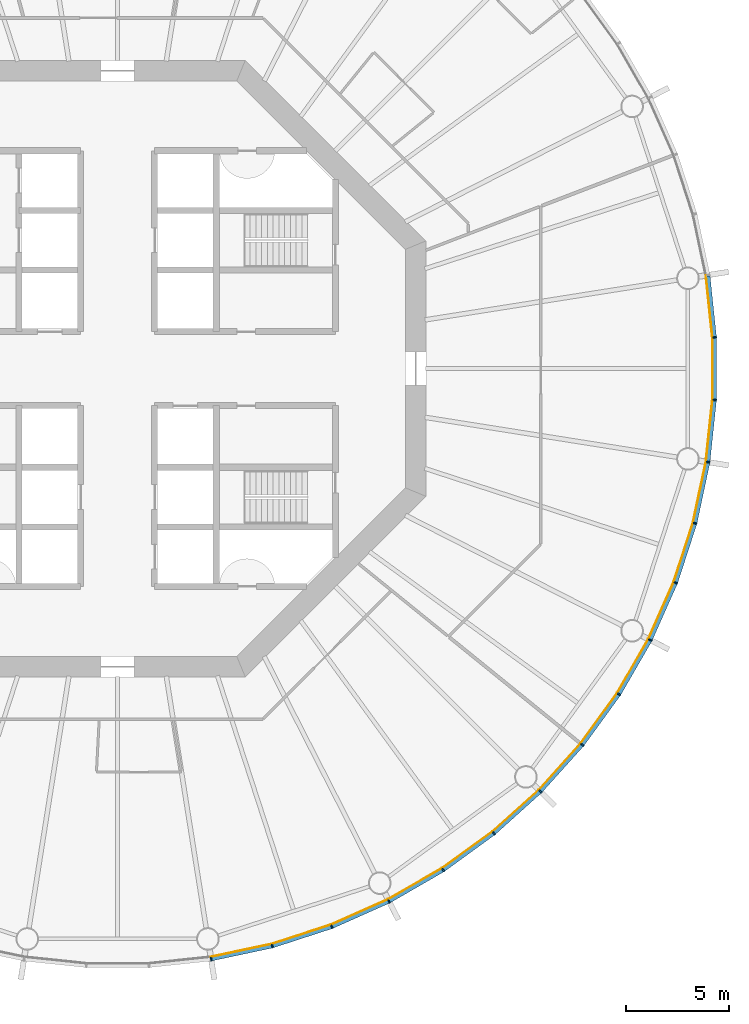
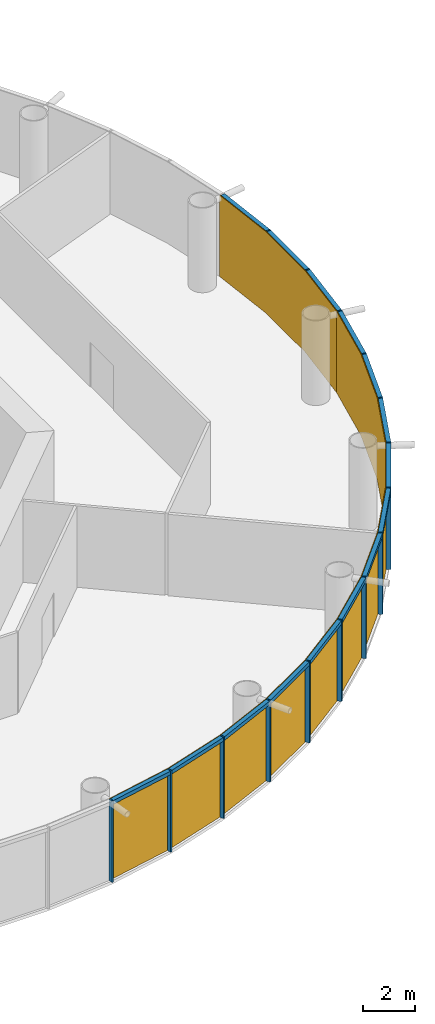
# One storey, part 8 of 12: 30 members, 5 curtain walls.
"""IFC4 building model written with IfcOpenShell, lengths in metres."""

from ifc_helpers import new_model, si_unit, direction, frame, origin, origin_2d, place, context, subcontext, project, spatial, polyline, rectangle, outline, extrude, material, layer, layer_set, material_profile, profile_set, type_object, element, aggregate, save


model = new_model("IFC4")

# Units and contexts
model_context = context("Model", 3, precision=1e-05, world=origin(), true_north=direction((0.0, 1.0)))
body_context = subcontext(model_context, "Body", "Model", "MODEL_VIEW")
ifc_project = project(units=[si_unit("LENGTHUNIT", "METRE"), si_unit("AREAUNIT", "SQUARE_METRE"), si_unit("VOLUMEUNIT", "CUBIC_METRE"), si_unit("PLANEANGLEUNIT", "RADIAN"), si_unit("MASSUNIT", "GRAM", prefix="KILO")], contexts=[model_context])

# Member
ifc_material_1 = material(Name="Anodised aluminium", Category="aluminium")
ifc_material_profile_1 = material_profile(ifc_material_1, rectangle(XDim=0.06494140625, YDim=0.18505859375, at=origin_2d()), Name="Mullion 65 x 185 mm anodised aluminium")
ifc_profile_set_1 = profile_set([ifc_material_profile_1], Name="Anodised aluminium")
member_type_1 = type_object("IfcMemberType", Name="Mullion 65 x 185 mm anodised aluminium", PredefinedType="MULLION", material=ifc_profile_set_1)
site_placement = place(None, origin())
building_placement = place(site_placement, origin())
storey_placement = place(building_placement, frame((0.0, 0.0, 196.0)))
member_1_placement = place(storey_placement, frame((94.551025390625, 51.265625, 0.0), z_axis=(0.0, 0.0, 1.0), x_axis=(0.987688340595, 0.15643446504, 0.0)))
member_1 = element("IfcMember", 1, at=member_1_placement, type_object=member_type_1, Name="MULLION L45-45", PredefinedType="MULLION", context=body_context, shape_type="SweptSolid", body=[
    extrude(rectangle(XDim=0.06494140625, YDim=0.18505859375, at=origin_2d()), origin(), (0.0, 0.0, 1.0), 3.85009765625),
])

member_2_placement = place(storey_placement, frame((97.52978515625, 51.898681640625, 0.0), z_axis=(0.0, 0.0, 1.0), x_axis=(0.965925826289, 0.258819045103, 0.0)))
member_2 = element("IfcMember", 2, at=member_2_placement, type_object=member_type_1, Name="MULLION L45-46", PredefinedType="MULLION", context=body_context, shape_type="SweptSolid", body=[
    extrude(rectangle(XDim=0.06494140625, YDim=0.18505859375, at=origin_2d()), origin(), (0.0, 0.0, 1.0), 3.85009765625),
])

member_3_placement = place(storey_placement, frame((100.42578125, 52.83984375, 0.0), z_axis=(0.0, 0.0, 1.0), x_axis=(0.933580426497, 0.358367949545, 0.0)))
member_3 = element("IfcMember", 3, at=member_3_placement, type_object=member_type_1, Name="MULLION L45-47", PredefinedType="MULLION", context=body_context, shape_type="SweptSolid", body=[
    extrude(rectangle(XDim=0.06494140625, YDim=0.18505859375, at=origin_2d()), origin(), (0.0, 0.0, 1.0), 3.85009765625),
])

member_4_placement = place(storey_placement, frame((103.207763671875, 54.078369140625, 0.0), z_axis=(0.0, 0.0, 1.0), x_axis=(0.891006524188, 0.45399049974, 0.0)))
member_4 = element("IfcMember", 4, at=member_4_placement, type_object=member_type_1, Name="MULLION L45-48", PredefinedType="MULLION", context=body_context, shape_type="SweptSolid", body=[
    extrude(rectangle(XDim=0.06494140625, YDim=0.18505859375, at=origin_2d()), origin(), (0.0, 0.0, 1.0), 3.85009765625),
])

member_5_placement = place(storey_placement, frame((105.844970703125, 55.60107421875, 0.0), z_axis=(0.0, 0.0, 1.0), x_axis=(0.838670567945, 0.544639035015, 0.0)))
member_5 = element("IfcMember", 5, at=member_5_placement, type_object=member_type_1, Name="MULLION L45-49", PredefinedType="MULLION", context=body_context, shape_type="SweptSolid", body=[
    extrude(rectangle(XDim=0.06494140625, YDim=0.18505859375, at=origin_2d()), origin(), (0.0, 0.0, 1.0), 3.85009765625),
])

member_6_placement = place(storey_placement, frame((108.30859375, 57.390869140625, 0.0), z_axis=(0.0, 0.0, 1.0), x_axis=(0.777145961457, 0.62932039105, 0.0)))
member_6 = element("IfcMember", 6, at=member_6_placement, type_object=member_type_1, Name="MULLION L45-50", PredefinedType="MULLION", context=body_context, shape_type="SweptSolid", body=[
    extrude(rectangle(XDim=0.06494140625, YDim=0.18505859375, at=origin_2d()), origin(), (0.0, 0.0, 1.0), 3.85009765625),
])

member_7_placement = place(storey_placement, frame((110.571533203125, 59.428466796875, 0.0), z_axis=(0.0, 0.0, 1.0), x_axis=(0.707106781187, 0.707106781187, 0.0)))
member_7 = element("IfcMember", 7, at=member_7_placement, type_object=member_type_1, Name="MULLION L45-51", PredefinedType="MULLION", context=body_context, shape_type="SweptSolid", body=[
    extrude(rectangle(XDim=0.06494140625, YDim=0.18505859375, at=origin_2d()), origin(), (0.0, 0.0, 1.0), 3.85009765625),
])

member_8_placement = place(storey_placement, frame((112.609130859375, 61.69140625, 0.0), z_axis=(0.0, 0.0, 1.0), x_axis=(0.62932039105, 0.777145961457, 0.0)))
member_8 = element("IfcMember", 8, at=member_8_placement, type_object=member_type_1, Name="MULLION L45-52", PredefinedType="MULLION", context=body_context, shape_type="SweptSolid", body=[
    extrude(rectangle(XDim=0.06494140625, YDim=0.18505859375, at=origin_2d()), origin(), (0.0, 0.0, 1.0), 3.85009765625),
])

member_9_placement = place(storey_placement, frame((114.39892578125, 64.155029296875, 0.0), z_axis=(0.0, 0.0, 1.0), x_axis=(0.544639035015, 0.838670567945, 0.0)))
member_9 = element("IfcMember", 9, at=member_9_placement, type_object=member_type_1, Name="MULLION L45-53", PredefinedType="MULLION", context=body_context, shape_type="SweptSolid", body=[
    extrude(rectangle(XDim=0.06494140625, YDim=0.18505859375, at=origin_2d()), origin(), (0.0, 0.0, 1.0), 3.85009765625),
])

member_10_placement = place(storey_placement, frame((115.921630859375, 66.792236328125, 0.0), z_axis=(0.0, 0.0, 1.0), x_axis=(0.45399049974, 0.891006524188, 0.0)))
member_10 = element("IfcMember", 10, at=member_10_placement, type_object=member_type_1, Name="MULLION L45-54", PredefinedType="MULLION", context=body_context, shape_type="SweptSolid", body=[
    extrude(rectangle(XDim=0.06494140625, YDim=0.18505859375, at=origin_2d()), origin(), (0.0, 0.0, 1.0), 3.85009765625),
])

member_11_placement = place(storey_placement, frame((117.16015625, 69.57421875, 0.0), z_axis=(0.0, 0.0, 1.0), x_axis=(0.358367949545, 0.933580426497, 0.0)))
member_11 = element("IfcMember", 11, at=member_11_placement, type_object=member_type_1, Name="MULLION L45-55", PredefinedType="MULLION", context=body_context, shape_type="SweptSolid", body=[
    extrude(rectangle(XDim=0.06494140625, YDim=0.18505859375, at=origin_2d()), origin(), (0.0, 0.0, 1.0), 3.85009765625),
])

member_12_placement = place(storey_placement, frame((118.101318359375, 72.47021484375, 0.0), z_axis=(0.0, 0.0, 1.0), x_axis=(0.258819045103, 0.965925826289, 0.0)))
member_12 = element("IfcMember", 12, at=member_12_placement, type_object=member_type_1, Name="MULLION L45-56", PredefinedType="MULLION", context=body_context, shape_type="SweptSolid", body=[
    extrude(rectangle(XDim=0.06494140625, YDim=0.18505859375, at=origin_2d()), origin(), (0.0, 0.0, 1.0), 3.85009765625),
])

member_13_placement = place(storey_placement, frame((118.734375, 75.448974609375, 0.0), z_axis=(0.0, 0.0, 1.0), x_axis=(0.15643446504, 0.987688340595, 0.0)))
member_13 = element("IfcMember", 13, at=member_13_placement, type_object=member_type_1, Name="MULLION L45-57", PredefinedType="MULLION", context=body_context, shape_type="SweptSolid", body=[
    extrude(rectangle(XDim=0.06494140625, YDim=0.18505859375, at=origin_2d()), origin(), (0.0, 0.0, 1.0), 3.85009765625),
])

member_14_placement = place(storey_placement, frame((119.052734375, 78.477294921875, 0.0), z_axis=(0.0, 0.0, 1.0), x_axis=(0.052335956243, 0.998629534755, 0.0)))
member_14 = element("IfcMember", 14, at=member_14_placement, type_object=member_type_1, Name="MULLION L45-58", PredefinedType="MULLION", context=body_context, shape_type="SweptSolid", body=[
    extrude(rectangle(XDim=0.06494140625, YDim=0.18505859375, at=origin_2d()), origin(), (0.0, 0.0, 1.0), 3.85009765625),
])

member_15_placement = place(storey_placement, frame((119.052734375, 81.522705078125, 0.0), z_axis=(0.0, 0.0, 1.0), x_axis=(-0.052335956243, 0.998629534755, 0.0)))
member_15 = element("IfcMember", 15, at=member_15_placement, type_object=member_type_1, Name="MULLION L45-59", PredefinedType="MULLION", context=body_context, shape_type="SweptSolid", body=[
    extrude(rectangle(XDim=0.06494140625, YDim=0.18505859375, at=origin_2d()), origin(), (0.0, 0.0, 1.0), 3.85009765625),
])

ifc_material_2 = material(Name="Anodised aluminium", Category="aluminium")
ifc_material_profile_2 = material_profile(ifc_material_2, rectangle(XDim=0.18505859375, YDim=0.175048828125, at=origin_2d()), Name="Transom 175 x 185 mm anodised aluminium")
ifc_profile_set_2 = profile_set([ifc_material_profile_2], Name="Anodised aluminium")
member_type_2 = type_object("IfcMemberType", Name="Transom 175 x 185 mm anodised aluminium", PredefinedType="USERDEFINED", material=ifc_profile_set_2)
member_16_placement = place(storey_placement, frame((94.587646484375, 51.2734375, 3.762451171875), z_axis=(0.97815822425, 0.207861704825, 0.0), x_axis=(-0.207861704825, 0.97815822425, 0.0)))
member_16 = element("IfcMember", 16, at=member_16_placement, type_object=member_type_2, Name="TRANSOM L45-45", ObjectType="TRANSOM", PredefinedType="USERDEFINED", context=body_context, shape_type="SweptSolid", body=[
    extrude(rectangle(XDim=0.18505859375, YDim=0.175048828125, at=origin_2d()), origin(), (0.0, 0.0, 1.0), 2.970458984375),
])

member_17_placement = place(storey_placement, frame((97.565185546875, 51.91015625, 3.762451171875), z_axis=(0.951055809184, 0.30901917063, 0.0), x_axis=(-0.30901917063, 0.951055809184, 0.0)))
member_17 = element("IfcMember", 17, at=member_17_placement, type_object=member_type_2, Name="TRANSOM L45-46", ObjectType="TRANSOM", PredefinedType="USERDEFINED", context=body_context, shape_type="SweptSolid", body=[
    extrude(rectangle(XDim=0.18505859375, YDim=0.175048828125, at=origin_2d()), origin(), (0.0, 0.0, 1.0), 2.970703125),
])

member_18_placement = place(storey_placement, frame((100.4599609375, 52.85498046875, 3.762451171875), z_axis=(0.913567348806, 0.406687471156, 0.0), x_axis=(-0.406687471156, 0.913567348806, 0.0)))
member_18 = element("IfcMember", 18, at=member_18_placement, type_object=member_type_2, Name="TRANSOM L45-47", ObjectType="TRANSOM", PredefinedType="USERDEFINED", context=body_context, shape_type="SweptSolid", body=[
    extrude(rectangle(XDim=0.18505859375, YDim=0.175048828125, at=origin_2d()), origin(), (0.0, 0.0, 1.0), 2.970458984375),
])

member_19_placement = place(storey_placement, frame((103.240234375, 54.096923828125, 3.762451171875), z_axis=(0.866009025146, 0.500028367561, 0.0), x_axis=(-0.500028367561, 0.866009025146, 0.0)))
member_19 = element("IfcMember", 19, at=member_19_placement, type_object=member_type_2, Name="TRANSOM L45-48", ObjectType="TRANSOM", PredefinedType="USERDEFINED", context=body_context, shape_type="SweptSolid", body=[
    extrude(rectangle(XDim=0.18505859375, YDim=0.175048828125, at=origin_2d()), origin(), (0.0, 0.0, 1.0), 2.970458984375),
])

member_20_placement = place(storey_placement, frame((105.875244140625, 55.622802734375, 3.762451171875), z_axis=(0.808991906087, 0.587819781808, 0.0), x_axis=(-0.587819781808, 0.808991906087, 0.0)))
member_20 = element("IfcMember", 20, at=member_20_placement, type_object=member_type_2, Name="TRANSOM L45-49", ObjectType="TRANSOM", PredefinedType="USERDEFINED", context=body_context, shape_type="SweptSolid", body=[
    extrude(rectangle(XDim=0.18505859375, YDim=0.175048828125, at=origin_2d()), origin(), (0.0, 0.0, 1.0), 2.970458984375),
])

member_21_placement = place(storey_placement, frame((108.33642578125, 57.415771484375, 3.762451171875), z_axis=(0.743163354343, 0.669110027395, 0.0), x_axis=(-0.669110027395, 0.743163354343, 0.0)))
member_21 = element("IfcMember", 21, at=member_21_placement, type_object=member_type_2, Name="TRANSOM L45-50", ObjectType="TRANSOM", PredefinedType="USERDEFINED", context=body_context, shape_type="SweptSolid", body=[
    extrude(rectangle(XDim=0.18505859375, YDim=0.175048828125, at=origin_2d()), origin(), (0.0, 0.0, 1.0), 2.970458984375),
])

member_22_placement = place(storey_placement, frame((110.5966796875, 59.4560546875, 3.762451171875), z_axis=(0.669110027395, 0.743163354343, 0.0), x_axis=(-0.743163354343, 0.669110027395, 0.0)))
member_22 = element("IfcMember", 22, at=member_22_placement, type_object=member_type_2, Name="TRANSOM L45-51", ObjectType="TRANSOM", PredefinedType="USERDEFINED", context=body_context, shape_type="SweptSolid", body=[
    extrude(rectangle(XDim=0.18505859375, YDim=0.175048828125, at=origin_2d()), origin(), (0.0, 0.0, 1.0), 2.970458984375),
])

member_23_placement = place(storey_placement, frame((112.631103515625, 61.7216796875, 3.762451171875), z_axis=(0.587819781808, 0.808991906087, 0.0), x_axis=(-0.808991906087, 0.587819781808, 0.0)))
member_23 = element("IfcMember", 23, at=member_23_placement, type_object=member_type_2, Name="TRANSOM L45-52", ObjectType="TRANSOM", PredefinedType="USERDEFINED", context=body_context, shape_type="SweptSolid", body=[
    extrude(rectangle(XDim=0.18505859375, YDim=0.175048828125, at=origin_2d()), origin(), (0.0, 0.0, 1.0), 2.970458984375),
])

member_24_placement = place(storey_placement, frame((114.417724609375, 64.187255859375, 3.762451171875), z_axis=(0.500028367561, 0.866009025146, 0.0), x_axis=(-0.866009025146, 0.500028367561, 0.0)))
member_24 = element("IfcMember", 24, at=member_24_placement, type_object=member_type_2, Name="TRANSOM L45-53", ObjectType="TRANSOM", PredefinedType="USERDEFINED", context=body_context, shape_type="SweptSolid", body=[
    extrude(rectangle(XDim=0.18505859375, YDim=0.175048828125, at=origin_2d()), origin(), (0.0, 0.0, 1.0), 2.970458984375),
])

member_25_placement = place(storey_placement, frame((115.93701171875, 66.826416015625, 3.762451171875), z_axis=(0.406687471156, 0.913567348806, 0.0), x_axis=(-0.913567348806, 0.406687471156, 0.0)))
member_25 = element("IfcMember", 25, at=member_25_placement, type_object=member_type_2, Name="TRANSOM L45-54", ObjectType="TRANSOM", PredefinedType="USERDEFINED", context=body_context, shape_type="SweptSolid", body=[
    extrude(rectangle(XDim=0.18505859375, YDim=0.175048828125, at=origin_2d()), origin(), (0.0, 0.0, 1.0), 2.970458984375),
])

member_26_placement = place(storey_placement, frame((117.171875, 69.609619140625, 3.762451171875), z_axis=(0.30901917063, 0.951055809184, 0.0), x_axis=(-0.951055809184, 0.30901917063, 0.0)))
member_26 = element("IfcMember", 26, at=member_26_placement, type_object=member_type_2, Name="TRANSOM L45-55", ObjectType="TRANSOM", PredefinedType="USERDEFINED", context=body_context, shape_type="SweptSolid", body=[
    extrude(rectangle(XDim=0.18505859375, YDim=0.175048828125, at=origin_2d()), origin(), (0.0, 0.0, 1.0), 2.970703125),
])

member_27_placement = place(storey_placement, frame((118.109130859375, 72.5068359375, 3.762451171875), z_axis=(0.207861704825, 0.97815822425, 0.0), x_axis=(-0.97815822425, 0.207861704825, 0.0)))
member_27 = element("IfcMember", 27, at=member_27_placement, type_object=member_type_2, Name="TRANSOM L45-56", ObjectType="TRANSOM", PredefinedType="USERDEFINED", context=body_context, shape_type="SweptSolid", body=[
    extrude(rectangle(XDim=0.18505859375, YDim=0.175048828125, at=origin_2d()), origin(), (0.0, 0.0, 1.0), 2.970458984375),
])

member_28_placement = place(storey_placement, frame((118.73828125, 75.486083984375, 3.762451171875), z_axis=(0.104547872381, 0.994519855197, 0.0), x_axis=(-0.994519855197, 0.104547872381, 0.0)))
member_28 = element("IfcMember", 28, at=member_28_placement, type_object=member_type_2, Name="TRANSOM L45-57", ObjectType="TRANSOM", PredefinedType="USERDEFINED", context=body_context, shape_type="SweptSolid", body=[
    extrude(rectangle(XDim=0.18505859375, YDim=0.175048828125, at=origin_2d()), origin(), (0.0, 0.0, 1.0), 2.970458984375),
])

member_29_placement = place(storey_placement, frame((119.052734375, 78.5146484375, 3.762451171875), z_axis=(0.0, 1.0, 0.0), x_axis=(-1.0, 0.0, 0.0)))
member_29 = element("IfcMember", 29, at=member_29_placement, type_object=member_type_2, Name="TRANSOM L45-58", ObjectType="TRANSOM", PredefinedType="USERDEFINED", context=body_context, shape_type="SweptSolid", body=[
    extrude(rectangle(XDim=0.18505859375, YDim=0.175048828125, at=origin_2d()), origin(), (0.0, 0.0, 1.0), 2.970703125),
])

member_30_placement = place(storey_placement, frame((119.048828125, 81.559814453125, 3.762451171875), z_axis=(-0.104547872381, 0.994519855197, 0.0), x_axis=(-0.994519855197, -0.104547872381, 0.0)))
member_30 = element("IfcMember", 30, at=member_30_placement, type_object=member_type_2, Name="TRANSOM L45-59", ObjectType="TRANSOM", PredefinedType="USERDEFINED", context=body_context, shape_type="SweptSolid", body=[
    extrude(rectangle(XDim=0.18505859375, YDim=0.175048828125, at=origin_2d()), origin(), (0.0, 0.0, 1.0), 2.970458984375),
])

# Site, building, storey
site = spatial("IfcSite", under=ifc_project, at=site_placement, CompositionType="ELEMENT")
building = spatial("IfcBuilding", under=site, at=building_placement, Name="Entoto Ring Tower", CompositionType="ELEMENT")
storey = spatial("IfcBuildingStorey", under=building, at=storey_placement, Name="L45", CompositionType="ELEMENT", Elevation=196.0)

# Curtain wall
ifc_material_3 = material(Name="Clear low-iron glass", Category="glass")
ifc_layer = layer(ifc_material_3, 0.033935546875)
ifc_layer_set = layer_set([ifc_layer], Name="Clear low-iron glass")
curtain_wall_type = type_object("IfcCurtainWallType", Name="Curtain wall system CW3 glazing 34 mm", PredefinedType="NOTDEFINED", material=ifc_layer_set)
curtain_wall_1_placement = place(storey_placement, origin())
curtain_wall_1 = element("IfcCurtainWall", 31, at=curtain_wall_1_placement, inside=storey, type_object=curtain_wall_type, Name="CW3 L45-16", PredefinedType="NOTDEFINED", context=body_context, shape_type="SweptSolid", body=[
    extrude(outline(polyline([(94.53662109375, 51.35693359375), (97.505859375, 51.988037109375), (100.392578125, 52.92626953125), (103.165771484375, 54.160888671875), (103.150146484375, 54.191162109375), (100.38037109375, 52.9580078125), (97.496826171875, 52.02099609375), (94.53125, 51.390625), (94.53662109375, 51.35693359375)])), origin(), (0.0, 0.0, 1.0), 3.85009765625),
])

aggregate(curtain_wall_1, [member_1, member_2, member_3, member_16, member_17, member_18])

curtain_wall_2_placement = place(storey_placement, origin())
curtain_wall_2 = element("IfcCurtainWall", 32, at=curtain_wall_2_placement, inside=storey, type_object=curtain_wall_type, Name="CW3 L45-17", PredefinedType="NOTDEFINED", context=body_context, shape_type="SweptSolid", body=[
    extrude(outline(polyline([(103.165771484375, 54.160888671875), (105.79443359375, 55.678466796875), (108.250244140625, 57.462646484375), (110.506103515625, 59.493896484375), (110.48193359375, 59.51806640625), (108.228759765625, 57.4892578125), (105.77587890625, 55.70703125), (103.150146484375, 54.191162109375), (103.165771484375, 54.160888671875)])), origin(), (0.0, 0.0, 1.0), 3.85009765625),
])

aggregate(curtain_wall_2, [member_4, member_5, member_6, member_19, member_20, member_21])

curtain_wall_3_placement = place(storey_placement, origin())
curtain_wall_3 = element("IfcCurtainWall", 33, at=curtain_wall_3_placement, inside=storey, type_object=curtain_wall_type, Name="CW3 L45-18", PredefinedType="NOTDEFINED", context=body_context, shape_type="SweptSolid", body=[
    extrude(outline(polyline([(110.506103515625, 59.493896484375), (112.537353515625, 61.749755859375), (114.321533203125, 64.20556640625), (115.839111328125, 66.834228515625), (115.808837890625, 66.849853515625), (114.29296875, 64.22412109375), (112.5107421875, 61.771240234375), (110.48193359375, 59.51806640625), (110.506103515625, 59.493896484375)])), origin(), (0.0, 0.0, 1.0), 3.85009765625),
])

aggregate(curtain_wall_3, [member_7, member_8, member_9, member_22, member_23, member_24])

curtain_wall_4_placement = place(storey_placement, origin())
curtain_wall_4 = element("IfcCurtainWall", 34, at=curtain_wall_4_placement, inside=storey, type_object=curtain_wall_type, Name="CW3 L45-19", PredefinedType="NOTDEFINED", context=body_context, shape_type="SweptSolid", body=[
    extrude(outline(polyline([(115.839111328125, 66.834228515625), (117.07373046875, 69.607421875), (118.011962890625, 72.494140625), (118.64306640625, 75.46337890625), (118.609375, 75.46875), (117.97900390625, 72.503173828125), (117.0419921875, 69.61962890625), (115.808837890625, 66.849853515625), (115.839111328125, 66.834228515625)])), origin(), (0.0, 0.0, 1.0), 3.85009765625),
])

aggregate(curtain_wall_4, [member_10, member_11, member_12, member_25, member_26, member_27])

curtain_wall_5_placement = place(storey_placement, origin())
curtain_wall_5 = element("IfcCurtainWall", 35, at=curtain_wall_5_placement, inside=storey, type_object=curtain_wall_type, Name="CW3 L45-20", PredefinedType="NOTDEFINED", context=body_context, shape_type="SweptSolid", body=[
    extrude(outline(polyline([(118.64306640625, 75.46337890625), (118.960205078125, 78.482177734375), (118.960205078125, 81.517822265625), (118.64306640625, 84.53662109375), (118.609375, 84.53125), (118.92626953125, 81.515869140625), (118.92626953125, 78.484130859375), (118.609375, 75.46875), (118.64306640625, 75.46337890625)])), origin(), (0.0, 0.0, 1.0), 3.85009765625),
])

aggregate(curtain_wall_5, [member_13, member_14, member_15, member_28, member_29, member_30])

save(model, "model.ifc")
